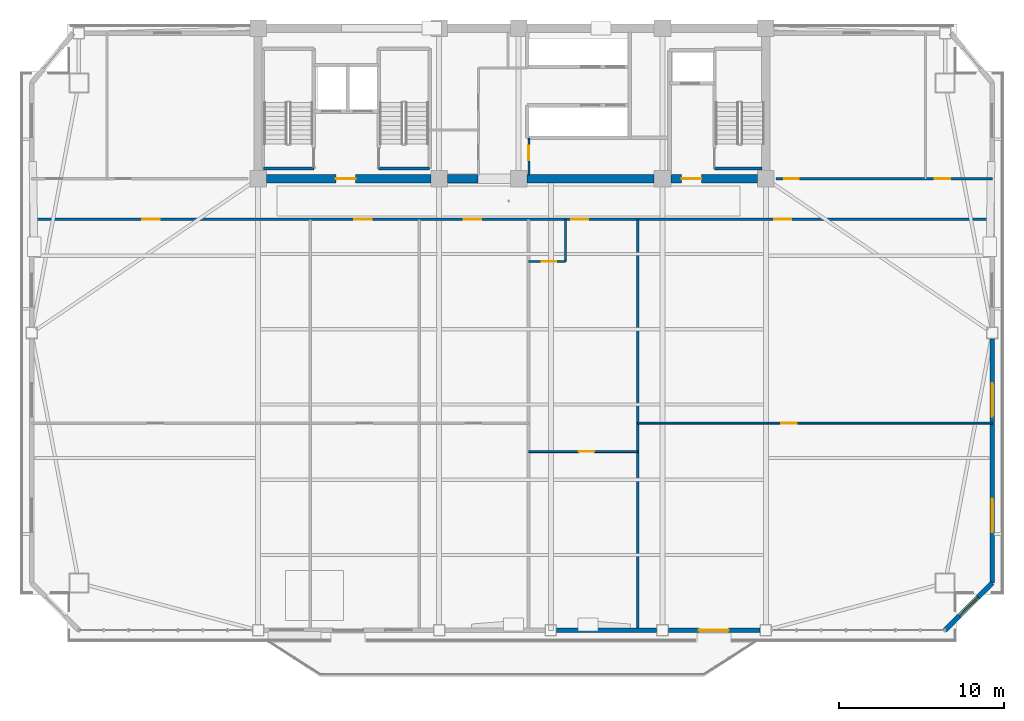
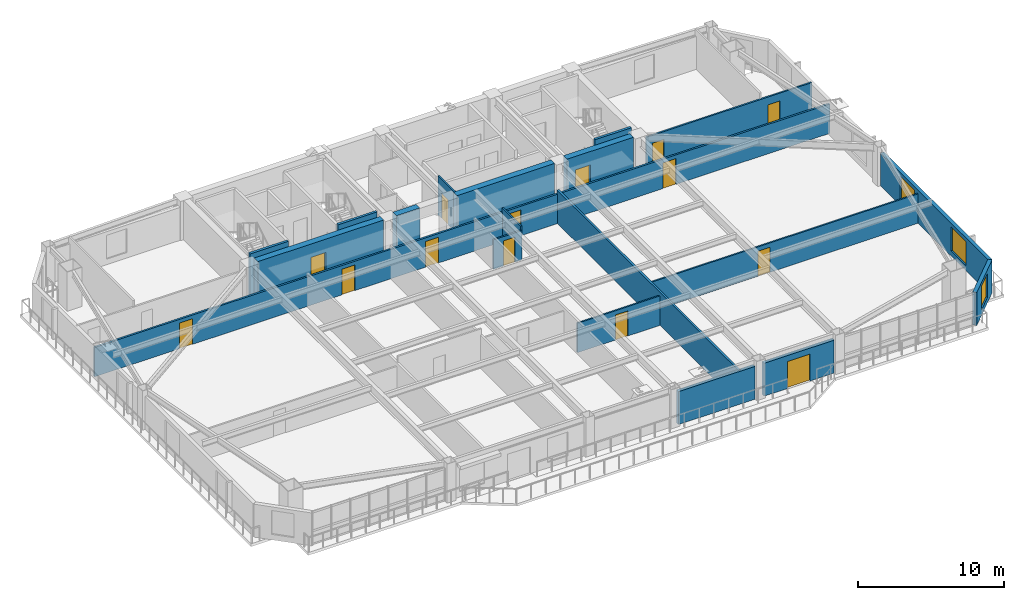
# One storey, part 8 of 15: 19 walls, 14 doors, 3 windows, 17 openings.
"""IFC4 building model written with IfcOpenShell, lengths in metres."""

from ifc_helpers import new_model, si_unit, direction, frame, frame_2d, origin, place, context, subcontext, project, spatial, rectangle, extrude, source, transform, mapped, material, layer, layer_set, type_object, element, fill, save


model = new_model("IFC4")

# Units and contexts
model_context = context("Model", 3, precision=1e-05, world=origin(), true_north=direction((0.0, 1.0)))
body_context = subcontext(model_context, "Body", "Model", "MODEL_VIEW")
ifc_project = project(units=[si_unit("LENGTHUNIT", "METRE"), si_unit("AREAUNIT", "SQUARE_METRE"), si_unit("VOLUMEUNIT", "CUBIC_METRE"), si_unit("PLANEANGLEUNIT", "RADIAN"), si_unit("MASSUNIT", "GRAM", prefix="KILO")], contexts=[model_context])

# Site, building, storey
site_placement = place(None, origin())
site = spatial("IfcSite", under=ifc_project, at=site_placement, CompositionType="ELEMENT")
building_placement = place(site_placement, origin())
building = spatial("IfcBuilding", under=site, at=building_placement, Name="Giltprow Tower", CompositionType="ELEMENT")
storey_placement = place(building_placement, frame((0.0, 0.0, 184.199951171875)))
storey = spatial("IfcBuildingStorey", under=building, at=storey_placement, Name="L46", CompositionType="ELEMENT", Elevation=184.199951171875)

# Wall, opening, window
ifc_material_1 = material(Name="Precast concrete C40", Category="concrete")
ifc_layer_1 = layer(ifc_material_1, 0.300048828125, Name="Precast concrete C40")
ifc_layer_set_1 = layer_set([ifc_layer_1], Name="Precast concrete C40")
wall_type_1 = type_object("IfcWallType", Name="EW-NOTCH-CHAMFER-300", PredefinedType="SOLIDWALL", material=ifc_layer_set_1)
wall_1_placement = place(storey_placement, frame((61.385986328125, 10.154052734375, 0.0), z_axis=(0.0, 0.0, 1.0), x_axis=(0.707136951076, 0.70707661001, 0.0)))
wall_1 = element("IfcWall", 1, at=wall_1_placement, inside=storey, type_object=wall_type_1, Name="L46 Corner Notch Wall SE", PredefinedType="SOLIDWALL", context=body_context, shape_type="SweptSolid", body=[
    extrude(rectangle(XDim=4.0458984375, YDim=0.300048828125, at=frame_2d((2.02294921875, 0.0))), origin(), (0.0, 0.0, 1.0), 2.75),
])
opening_1_placement = place(wall_1_placement, frame((1.222900390625, 0.0, 0.449951171875)))
opening_1 = element("IfcOpeningElement", 2, at=opening_1_placement, cuts=wall_1, Name="Opening WN17", PredefinedType="OPENING", context=body_context, shape_type="SweptSolid", body=[
    extrude(rectangle(XDim=1.60009765625, YDim=2.0, at=frame_2d((0.800048828125, 1.0))), frame((0.0, 0.159912109375, 0.0), z_axis=(0.0, -1.0, 0.0), x_axis=(1.0, 0.0, 0.0)), (0.0, 0.0, 1.0), 0.320068359375),
])
ifc_material_2 = material(Name="Insulated glass", Category="glass")
window_type_1 = type_object("IfcWindowType", Name="WN-COR-1600x2000", PartitioningType="SINGLE_PANEL", PredefinedType="WINDOW", material=ifc_material_2)
shared_shape_1 = source(origin(), body_context, "Body", "SweptSolid", [
    extrude(rectangle(XDim=1.60009765625, YDim=2.0, at=frame_2d((0.800048828125, 1.0))), frame((0.0, 0.030029296875, 0.0), z_axis=(0.0, -1.0, 0.0), x_axis=(1.0, 0.0, 0.0)), (0.0, 0.0, 1.0), 0.06005859375),
])
window_1_placement = place(opening_1_placement, origin())
window_1 = element("IfcWindow", 3, at=window_1_placement, inside=storey, type_object=window_type_1, Name="L46 Corner Notch Window SE", OverallHeight=2.0, OverallWidth=1.60009765625, PartitioningType="SINGLE_PANEL", PredefinedType="WINDOW", context=body_context, shape_type="MappedRepresentation", body=[
    mapped(shared_shape_1, transform((0.0, 0.0, 0.0), x_axis=(1.0, 0.0, 0.0), y_axis=(0.0, 1.0, 0.0), z_axis=(0.0, 0.0, 1.0), scale=1.0)),
])
fill(opening_1, window_1)

# Wall
ifc_layer_2 = layer(ifc_material_1, 0.280029296875, Name="Precast concrete C40")
ifc_layer_set_2 = layer_set([ifc_layer_2], Name="Precast concrete C40")
wall_type_2 = type_object("IfcWallType", Name="EW-TOW-BRONZE-280", PredefinedType="SOLIDWALL", material=ifc_layer_set_2)
wall_2_placement = place(storey_placement, frame((37.89990234375, 10.154052734375, 0.0), z_axis=(0.0, 0.0, 1.0), x_axis=(1.0, 0.0, 0.0)))
element("IfcWall", 4, at=wall_2_placement, inside=storey, type_object=wall_type_2, Name="L46 South Expressed Frame Wall 4", PredefinedType="SOLIDWALL", context=body_context, shape_type="SweptSolid", body=[
    extrude(rectangle(XDim=6.050048828125, YDim=0.280029296875, at=frame_2d((3.02490234375, 0.0))), origin(), (0.0, 0.0, 1.0), 2.75),
])

# Wall, opening, door
wall_3_placement = place(storey_placement, frame((44.64990234375, 10.154052734375, 0.0), z_axis=(0.0, 0.0, 1.0), x_axis=(1.0, 0.0, 0.0)))
wall_3 = element("IfcWall", 5, at=wall_3_placement, inside=storey, type_object=wall_type_2, Name="L46 South Expressed Frame Wall 5", PredefinedType="SOLIDWALL", context=body_context, shape_type="SweptSolid", body=[
    extrude(rectangle(XDim=5.550048828125, YDim=0.280029296875, at=frame_2d((2.77490234375, 0.0))), origin(), (0.0, 0.0, 1.0), 2.75),
])
opening_2_placement = place(wall_3_placement, frame((1.85009765625, 0.0, 0.0)))
opening_2 = element("IfcOpeningElement", 6, at=opening_2_placement, cuts=wall_3, Name="Opening ED25", PredefinedType="OPENING", context=body_context, shape_type="SweptSolid", body=[
    extrude(rectangle(XDim=1.800048828125, YDim=2.25, at=frame_2d((0.89990234375, 1.125))), frame((0.0, 0.14990234375, 0.0), z_axis=(0.0, -1.0, 0.0), x_axis=(1.0, 0.0, 0.0)), (0.0, 0.0, 1.0), 0.300048828125),
])
ifc_material_3 = material(Name="Anodized bronze and glass", Category="glass")
door_type_1 = type_object("IfcDoorType", Name="DR-BALC-SLIDE-1800", OperationType="SLIDING_TO_LEFT", PredefinedType="DOOR", material=ifc_material_3)
shared_shape_2 = source(origin(), body_context, "Body", "SweptSolid", [
    extrude(rectangle(XDim=1.800048828125, YDim=2.25, at=frame_2d((0.89990234375, 1.125))), frame((0.0, 0.02490234375, 0.0), z_axis=(0.0, -1.0, 0.0), x_axis=(1.0, 0.0, 0.0)), (0.0, 0.0, 1.0), 0.050048828125),
])
door_1_placement = place(opening_2_placement, origin())
door_1 = element("IfcDoor", 7, at=door_1_placement, inside=storey, type_object=door_type_1, Name="L46 Waterfront Balcony Sliding Door 2", OperationType="SLIDING_TO_LEFT", OverallHeight=2.25, OverallWidth=1.800048828125, PredefinedType="DOOR", context=body_context, shape_type="MappedRepresentation", body=[
    mapped(shared_shape_2, transform((0.0, 0.0, 0.0), x_axis=(1.0, 0.0, 0.0), y_axis=(0.0, 1.0, 0.0), z_axis=(0.0, 0.0, 1.0), scale=1.0)),
])
fill(opening_2, door_1)

# Wall, openings, windows
wall_4_placement = place(storey_placement, frame((64.2470703125, 13.014892578125, 0.0), z_axis=(0.0, 0.0, 1.0), x_axis=(0.0, 1.0, 0.0)))
wall_4 = element("IfcWall", 8, at=wall_4_placement, inside=storey, type_object=wall_type_2, Name="L46 E Wing Masonry Wall 1", PredefinedType="SOLIDWALL", context=body_context, shape_type="SweptSolid", body=[
    extrude(rectangle(XDim=14.76220703125, YDim=0.280029296875, at=frame_2d((7.381103515625, 0.0))), origin(), (0.0, 0.0, 1.0), 2.75),
])
opening_3_placement = place(wall_4_placement, frame((3.077880859375, 0.0, 0.449951171875)))
opening_3 = element("IfcOpeningElement", 9, at=opening_3_placement, cuts=wall_4, Name="Opening WN21", PredefinedType="OPENING", context=body_context, shape_type="SweptSolid", body=[
    extrude(rectangle(XDim=2.0, YDim=2.0, at=frame_2d((1.0, 1.0))), frame((0.0, 0.14990234375, 0.0), z_axis=(0.0, -1.0, 0.0), x_axis=(1.0, 0.0, 0.0)), (0.0, 0.0, 1.0), 0.300048828125),
])
opening_4_placement = place(wall_4_placement, frame((10.06201171875, 0.0, 0.449951171875)))
opening_4 = element("IfcOpeningElement", 10, at=opening_4_placement, cuts=wall_4, Name="Opening WN21", PredefinedType="OPENING", context=body_context, shape_type="SweptSolid", body=[
    extrude(rectangle(XDim=2.0, YDim=2.0, at=frame_2d((1.0, 1.0))), frame((0.0, 0.14990234375, 0.0), z_axis=(0.0, -1.0, 0.0), x_axis=(1.0, 0.0, 0.0)), (0.0, 0.0, 1.0), 0.300048828125),
])
window_type_2 = type_object("IfcWindowType", Name="WN-HTL-2000x2000", PartitioningType="DOUBLE_PANEL_VERTICAL", PredefinedType="WINDOW", material=ifc_material_2)
shared_shape_3 = source(origin(), body_context, "Body", "SweptSolid", [
    extrude(rectangle(XDim=2.0, YDim=2.0, at=frame_2d((1.0, 1.0))), frame((0.0, 0.030029296875, 0.0), z_axis=(0.0, -1.0, 0.0), x_axis=(1.0, 0.0, 0.0)), (0.0, 0.0, 1.0), 0.06005859375),
])
window_2_placement = place(opening_3_placement, origin())
window_2 = element("IfcWindow", 11, at=window_2_placement, inside=storey, type_object=window_type_2, Name="L46 E Wing Window 1-1A", OverallHeight=2.0, OverallWidth=2.0, PartitioningType="SINGLE_PANEL", PredefinedType="WINDOW", context=body_context, shape_type="MappedRepresentation", body=[
    mapped(shared_shape_3, transform((0.0, 0.0, 0.0), x_axis=(1.0, 0.0, 0.0), y_axis=(0.0, 1.0, 0.0), z_axis=(0.0, 0.0, 1.0), scale=1.0)),
])
fill(opening_3, window_2)
window_3_placement = place(opening_4_placement, origin())
window_3 = element("IfcWindow", 12, at=window_3_placement, inside=storey, type_object=window_type_2, Name="L46 E Wing Window 1-1B", OverallHeight=2.0, OverallWidth=2.0, PartitioningType="SINGLE_PANEL", PredefinedType="WINDOW", context=body_context, shape_type="MappedRepresentation", body=[
    mapped(shared_shape_3, transform((0.0, 0.0, 0.0), x_axis=(1.0, 0.0, 0.0), y_axis=(0.0, 1.0, 0.0), z_axis=(0.0, 0.0, 1.0), scale=1.0)),
])
fill(opening_4, window_3)

# Wall, openings, doors
ifc_material_4 = material(Name="Gypsum stud partition", Category="gypsum")
ifc_layer_3 = layer(ifc_material_4, 0.14990234375, Name="Gypsum stud partition")
ifc_layer_set_3 = layer_set([ifc_layer_3], Name="Gypsum stud partition")
wall_type_3 = type_object("IfcWallType", Name="IW-CORR-150", PredefinedType="PARTITIONING", material=ifc_layer_set_3)
wall_5_placement = place(storey_placement, frame((6.154052734375, 35.0, 0.0), z_axis=(0.0, 0.0, 1.0), x_axis=(1.0, 0.0, 0.0)))
wall_5 = element("IfcWall", 13, at=wall_5_placement, inside=storey, type_object=wall_type_3, Name="L46 Hotel Guestroom Corridor Wall", PredefinedType="PARTITIONING", context=body_context, shape_type="SweptSolid", body=[
    extrude(rectangle(XDim=58.093017578125, YDim=0.14990234375, at=frame_2d((29.04638671875, 0.0))), origin(), (0.0, 0.0, 1.0), 2.455078125),
])
opening_5_placement = place(wall_5_placement, frame((6.695068359375, 0.0, 0.0)))
opening_5 = element("IfcOpeningElement", 14, at=opening_5_placement, cuts=wall_5, Name="Opening ID31", PredefinedType="OPENING", context=body_context, shape_type="SweptSolid", body=[
    extrude(rectangle(XDim=1.050048828125, YDim=2.14990234375, at=frame_2d((0.52490234375, 1.074951171875))), frame((0.0, 0.0849609375, 0.0), z_axis=(0.0, -1.0, 0.0), x_axis=(1.0, 0.0, 0.0)), (0.0, 0.0, 1.0), 0.169921875),
])
opening_6_placement = place(wall_5_placement, frame((19.52294921875, 0.0, 0.0)))
opening_6 = element("IfcOpeningElement", 15, at=opening_6_placement, cuts=wall_5, Name="Opening ID31", PredefinedType="OPENING", context=body_context, shape_type="SweptSolid", body=[
    extrude(rectangle(XDim=1.050048828125, YDim=2.14990234375, at=frame_2d((0.52490234375, 1.074951171875))), frame((0.0, 0.0849609375, 0.0), z_axis=(0.0, -1.0, 0.0), x_axis=(1.0, 0.0, 0.0)), (0.0, 0.0, 1.0), 0.169921875),
])
opening_7_placement = place(wall_5_placement, frame((26.123046875, 0.0, 0.0)))
opening_7 = element("IfcOpeningElement", 16, at=opening_7_placement, cuts=wall_5, Name="Opening ID31", PredefinedType="OPENING", context=body_context, shape_type="SweptSolid", body=[
    extrude(rectangle(XDim=1.050048828125, YDim=2.14990234375, at=frame_2d((0.52490234375, 1.074951171875))), frame((0.0, 0.0849609375, 0.0), z_axis=(0.0, -1.0, 0.0), x_axis=(1.0, 0.0, 0.0)), (0.0, 0.0, 1.0), 0.169921875),
])
opening_8_placement = place(wall_5_placement, frame((32.615966796875, 0.0, 0.0)))
opening_8 = element("IfcOpeningElement", 17, at=opening_8_placement, cuts=wall_5, Name="Opening ID31", PredefinedType="OPENING", context=body_context, shape_type="SweptSolid", body=[
    extrude(rectangle(XDim=1.050048828125, YDim=2.14990234375, at=frame_2d((0.52490234375, 1.074951171875))), frame((0.0, 0.0849609375, 0.0), z_axis=(0.0, -1.0, 0.0), x_axis=(1.0, 0.0, 0.0)), (0.0, 0.0, 1.0), 0.169921875),
])
opening_9_placement = place(wall_5_placement, frame((44.888916015625, 0.0, 0.0)))
opening_9 = element("IfcOpeningElement", 18, at=opening_9_placement, cuts=wall_5, Name="Opening ID31", PredefinedType="OPENING", context=body_context, shape_type="SweptSolid", body=[
    extrude(rectangle(XDim=1.050048828125, YDim=2.14990234375, at=frame_2d((0.52490234375, 1.074951171875))), frame((0.0, 0.0849609375, 0.0), z_axis=(0.0, -1.0, 0.0), x_axis=(1.0, 0.0, 0.0)), (0.0, 0.0, 1.0), 0.169921875),
])
ifc_material_5 = material(Name="Engineered timber", Category="wood")
door_type_2 = type_object("IfcDoorType", Name="DR-SUITE-1050", OperationType="SINGLE_SWING_LEFT", PredefinedType="DOOR", material=ifc_material_5)
shared_shape_4 = source(origin(), body_context, "Body", "SweptSolid", [
    extrude(rectangle(XDim=1.050048828125, YDim=2.14990234375, at=frame_2d((0.52490234375, 1.074951171875))), frame((0.0, 0.02490234375, 0.0), z_axis=(0.0, -1.0, 0.0), x_axis=(1.0, 0.0, 0.0)), (0.0, 0.0, 1.0), 0.050048828125),
])
door_2_placement = place(opening_5_placement, origin())
door_2 = element("IfcDoor", 19, at=door_2_placement, inside=storey, type_object=door_type_2, Name="L46 Suite Reception Foyer Door", OperationType="SINGLE_SWING_LEFT", OverallHeight=2.14990234375, OverallWidth=1.050048828125, PredefinedType="DOOR", context=body_context, shape_type="MappedRepresentation", body=[
    mapped(shared_shape_4, transform((0.0, 0.0, 0.0), x_axis=(1.0, 0.0, 0.0), y_axis=(0.0, 1.0, 0.0), z_axis=(0.0, 0.0, 1.0), scale=1.0)),
])
fill(opening_5, door_2)
door_3_placement = place(opening_6_placement, origin())
door_3 = element("IfcDoor", 20, at=door_3_placement, inside=storey, type_object=door_type_2, Name="L46 Suite Reception Foyer Door", OperationType="SINGLE_SWING_LEFT", OverallHeight=2.14990234375, OverallWidth=1.050048828125, PredefinedType="DOOR", context=body_context, shape_type="MappedRepresentation", body=[
    mapped(shared_shape_4, transform((0.0, 0.0, 0.0), x_axis=(1.0, 0.0, 0.0), y_axis=(0.0, 1.0, 0.0), z_axis=(0.0, 0.0, 1.0), scale=1.0)),
])
fill(opening_6, door_3)
door_4_placement = place(opening_7_placement, origin())
door_4 = element("IfcDoor", 21, at=door_4_placement, inside=storey, type_object=door_type_2, Name="L46 Suite Reception Foyer Door", OperationType="SINGLE_SWING_LEFT", OverallHeight=2.14990234375, OverallWidth=1.050048828125, PredefinedType="DOOR", context=body_context, shape_type="MappedRepresentation", body=[
    mapped(shared_shape_4, transform((0.0, 0.0, 0.0), x_axis=(1.0, 0.0, 0.0), y_axis=(0.0, 1.0, 0.0), z_axis=(0.0, 0.0, 1.0), scale=1.0)),
])
fill(opening_7, door_4)
door_5_placement = place(opening_8_placement, origin())
door_5 = element("IfcDoor", 22, at=door_5_placement, inside=storey, type_object=door_type_2, Name="L46 Hotel Room 4 Entry Door", OperationType="SINGLE_SWING_LEFT", OverallHeight=2.14990234375, OverallWidth=1.050048828125, PredefinedType="DOOR", context=body_context, shape_type="MappedRepresentation", body=[
    mapped(shared_shape_4, transform((0.0, 0.0, 0.0), x_axis=(1.0, 0.0, 0.0), y_axis=(0.0, 1.0, 0.0), z_axis=(0.0, 0.0, 1.0), scale=1.0)),
])
fill(opening_8, door_5)
door_6_placement = place(opening_9_placement, origin())
door_6 = element("IfcDoor", 23, at=door_6_placement, inside=storey, type_object=door_type_2, Name="L46 Suite Reception Foyer Door", OperationType="SINGLE_SWING_RIGHT", OverallHeight=2.14990234375, OverallWidth=1.050048828125, PredefinedType="DOOR", context=body_context, shape_type="MappedRepresentation", body=[
    mapped(shared_shape_4, transform((0.0, 0.0, 0.0), x_axis=(1.0, 0.0, 0.0), y_axis=(0.0, 1.0, 0.0), z_axis=(0.0, 0.0, 1.0), scale=1.0)),
])
fill(opening_9, door_6)

# Wall
ifc_layer_4 = layer(ifc_material_4, 0.159912109375, Name="Gypsum stud partition")
ifc_layer_set_4 = layer_set([ifc_layer_4], Name="Gypsum stud partition")
wall_type_4 = type_object("IfcWallType", Name="IW-DEMISE-160", PredefinedType="PARTITIONING", material=ifc_layer_set_4)
wall_6_placement = place(storey_placement, frame((42.800048828125, 10.154052734375, 0.0), z_axis=(0.0, 0.0, 1.0), x_axis=(0.0, 1.0, 0.0)))
element("IfcWall", 24, at=wall_6_placement, inside=storey, type_object=wall_type_4, Name="L46 Hotel Demising Wall 4", PredefinedType="PARTITIONING", context=body_context, shape_type="SweptSolid", body=[
    extrude(rectangle(XDim=24.845947265625, YDim=0.159912109375, at=frame_2d((12.4228515625, 0.0))), origin(), (0.0, 0.0, 1.0), 2.755126953125),
])

# Wall, opening, door
ifc_layer_5 = layer(ifc_material_4, 0.1201171875, Name="Gypsum stud partition")
ifc_layer_set_5 = layer_set([ifc_layer_5], Name="Gypsum stud partition")
wall_type_5 = type_object("IfcWallType", Name="IW-ROOM-120", PredefinedType="PARTITIONING", material=ifc_layer_set_5)
wall_7_placement = place(storey_placement, frame((36.199951171875, 20.9599609375, 0.0), z_axis=(0.0, 0.0, 1.0), x_axis=(1.0, 0.0, 0.0)))
wall_7 = element("IfcWall", 25, at=wall_7_placement, inside=storey, type_object=wall_type_5, Name="L46 Suite Parlour Divider 4", PredefinedType="PARTITIONING", context=body_context, shape_type="SweptSolid", body=[
    extrude(rectangle(XDim=6.60009765625, YDim=0.1201171875, at=frame_2d((3.300048828125, 0.0))), origin(), (0.0, 0.0, 1.0), 2.455078125),
])
opening_10_placement = place(wall_7_placement, frame((3.02490234375, 0.0, 0.0)))
opening_10 = element("IfcOpeningElement", 26, at=opening_10_placement, cuts=wall_7, Name="Opening ID11", PredefinedType="OPENING", context=body_context, shape_type="SweptSolid", body=[
    extrude(rectangle(XDim=0.949951171875, YDim=2.10009765625, at=frame_2d((0.47509765625, 1.050048828125))), frame((0.0, 0.070068359375, 0.0), z_axis=(0.0, -1.0, 0.0), x_axis=(1.0, 0.0, 0.0)), (0.0, 0.0, 1.0), 0.14013671875),
])
door_type_3 = type_object("IfcDoorType", Name="DR-ROOM-950", OperationType="SINGLE_SWING_RIGHT", PredefinedType="DOOR", material=ifc_material_5)
shared_shape_5 = source(origin(), body_context, "Body", "SweptSolid", [
    extrude(rectangle(XDim=0.949951171875, YDim=2.10009765625, at=frame_2d((0.47509765625, 1.050048828125))), frame((0.0, 0.02490234375, 0.0), z_axis=(0.0, -1.0, 0.0), x_axis=(1.0, 0.0, 0.0)), (0.0, 0.0, 1.0), 0.050048828125),
])
door_7_placement = place(opening_10_placement, origin())
door_7 = element("IfcDoor", 27, at=door_7_placement, inside=storey, type_object=door_type_3, Name="L46 Harbour Parlour 4 Door", OperationType="SINGLE_SWING_LEFT", OverallHeight=2.10009765625, OverallWidth=0.949951171875, PredefinedType="DOOR", context=body_context, shape_type="MappedRepresentation", body=[
    mapped(shared_shape_5, transform((0.0, 0.0, 0.0), x_axis=(1.0, 0.0, 0.0), y_axis=(0.0, 1.0, 0.0), z_axis=(0.0, 0.0, 1.0), scale=1.0)),
])
fill(opening_10, door_7)

wall_8_placement = place(storey_placement, frame((42.800048828125, 22.677001953125, 0.0), z_axis=(0.0, 0.0, 1.0), x_axis=(1.0, 0.0, 0.0)))
wall_8 = element("IfcWall", 28, at=wall_8_placement, inside=storey, type_object=wall_type_5, Name="L46 Amenity Mid Wall 5", PredefinedType="PARTITIONING", context=body_context, shape_type="SweptSolid", body=[
    extrude(rectangle(XDim=21.447021484375, YDim=0.1201171875, at=frame_2d((10.7236328125, 0.0))), origin(), (0.0, 0.0, 1.0), 2.455078125),
])
opening_11_placement = place(wall_8_placement, frame((8.6650390625, 0.0, 0.0)))
opening_11 = element("IfcOpeningElement", 29, at=opening_11_placement, cuts=wall_8, Name="Opening ID11", PredefinedType="OPENING", context=body_context, shape_type="SweptSolid", body=[
    extrude(rectangle(XDim=0.949951171875, YDim=2.10009765625, at=frame_2d((0.47509765625, 1.050048828125))), frame((0.0, 0.070068359375, 0.0), z_axis=(0.0, -1.0, 0.0), x_axis=(1.0, 0.0, 0.0)), (0.0, 0.0, 1.0), 0.14013671875),
])
door_8_placement = place(opening_11_placement, origin())
door_8 = element("IfcDoor", 30, at=door_8_placement, inside=storey, type_object=door_type_3, Name="L46 Tea Ceremony Kitchen 4 Inner Door", OperationType="SINGLE_SWING_LEFT", OverallHeight=2.10009765625, OverallWidth=0.949951171875, PredefinedType="DOOR", context=body_context, shape_type="MappedRepresentation", body=[
    mapped(shared_shape_5, transform((0.0, 0.0, 0.0), x_axis=(1.0, 0.0, 0.0), y_axis=(0.0, 1.0, 0.0), z_axis=(0.0, 0.0, 1.0), scale=1.0)),
])
fill(opening_11, door_8)

# Walls
ifc_material_6 = material(Name="Concrete C40", Category="concrete")
ifc_layer_6 = layer(ifc_material_6, 0.199951171875, Name="Concrete C40")
ifc_layer_set_6 = layer_set([ifc_layer_6], Name="Concrete C40")
wall_type_6 = type_object("IfcWallType", Name="IW-STAIR-200", PredefinedType="SOLIDWALL", material=ifc_layer_set_6)
wall_9_placement = place(storey_placement, frame((20.169921875, 38.070068359375, 0.0), z_axis=(0.0, 0.0, 1.0), x_axis=(1.0, 0.0, 0.0)))
element("IfcWall", 31, at=wall_9_placement, inside=storey, type_object=wall_type_6, Name="L46 Stair ST-1 South Bearing Wall", PredefinedType="SOLIDWALL", context=body_context, shape_type="SweptSolid", body=[
    extrude(rectangle(XDim=3.050048828125, YDim=0.199951171875, at=frame_2d((1.52490234375, 0.0))), origin(), (0.0, 0.0, 1.0), 3.5),
])
wall_10_placement = place(storey_placement, frame((27.139892578125, 38.070068359375, 0.0), z_axis=(0.0, 0.0, 1.0), x_axis=(1.0, 0.0, 0.0)))
element("IfcWall", 32, at=wall_10_placement, inside=storey, type_object=wall_type_6, Name="L46 Stair ST-2 South Bearing Wall", PredefinedType="SOLIDWALL", context=body_context, shape_type="SweptSolid", body=[
    extrude(rectangle(XDim=3.080078125, YDim=0.199951171875, at=frame_2d((1.5400390625, 0.0))), origin(), (0.0, 0.0, 1.0), 3.5),
])
wall_11_placement = place(storey_placement, frame((47.43994140625, 38.070068359375, 0.0), z_axis=(0.0, 0.0, 1.0), x_axis=(1.0, 0.0, 0.0)))
element("IfcWall", 33, at=wall_11_placement, inside=storey, type_object=wall_type_6, Name="L46 Stair ST-3 South Bearing Wall", PredefinedType="SOLIDWALL", context=body_context, shape_type="SweptSolid", body=[
    extrude(rectangle(XDim=2.880126953125, YDim=0.199951171875, at=frame_2d((1.43994140625, 0.0))), origin(), (0.0, 0.0, 1.0), 3.5),
])

# Wall, opening, door
ifc_material_7 = material(Name="Concrete C30", Category="concrete")
ifc_layer_7 = layer(ifc_material_7, 0.1298828125, Name="Concrete C30")
ifc_layer_set_7 = layer_set([ifc_layer_7], Name="Concrete C30")
wall_type_7 = type_object("IfcWallType", Name="IW-WET-130", PredefinedType="PARTITIONING", material=ifc_layer_set_7)
wall_12_placement = place(storey_placement, frame((36.219970703125, 37.679931640625, 0.0), z_axis=(0.0, 0.0, 1.0), x_axis=(0.0, 1.0, 0.0)))
wall_12 = element("IfcWall", 34, at=wall_12_placement, inside=storey, type_object=wall_type_7, Name="L46 Core Valet West Wall", PredefinedType="PARTITIONING", context=body_context, shape_type="SweptSolid", body=[
    extrude(rectangle(XDim=2.239990234375, YDim=0.1298828125, at=frame_2d((1.1201171875, 0.0))), origin(), (0.0, 0.0, 1.0), 3.27001953125),
])
opening_12_placement = place(wall_12_placement, frame((0.8798828125, 0.0, 0.0)))
opening_12 = element("IfcOpeningElement", 35, at=opening_12_placement, cuts=wall_12, Name="Opening ID35", PredefinedType="OPENING", context=body_context, shape_type="SweptSolid", body=[
    extrude(rectangle(XDim=0.89990234375, YDim=2.10009765625, at=frame_2d((0.449951171875, 1.050048828125))), frame((0.0, 0.074951171875, 0.0), z_axis=(0.0, -1.0, 0.0), x_axis=(1.0, 0.0, 0.0)), (0.0, 0.0, 1.0), 0.14990234375),
])
ifc_material_8 = material(Name="Steel fire leaf", Category="steel")
door_type_4 = type_object("IfcDoorType", Name="DR-SHAFT-900", OperationType="SINGLE_SWING_LEFT", PredefinedType="DOOR", material=ifc_material_8)
shared_shape_6 = source(origin(), body_context, "Body", "SweptSolid", [
    extrude(rectangle(XDim=0.89990234375, YDim=2.10009765625, at=frame_2d((0.449951171875, 1.050048828125))), frame((0.0, 0.02490234375, 0.0), z_axis=(0.0, -1.0, 0.0), x_axis=(1.0, 0.0, 0.0)), (0.0, 0.0, 1.0), 0.050048828125),
])
door_9_placement = place(opening_12_placement, origin())
door_9 = element("IfcDoor", 36, at=door_9_placement, inside=storey, type_object=door_type_4, Name="L46 Core Valet Pantry Door", OperationType="SINGLE_SWING_RIGHT", OverallHeight=2.10009765625, OverallWidth=0.89990234375, PredefinedType="DOOR", context=body_context, shape_type="MappedRepresentation", body=[
    mapped(shared_shape_6, transform((0.0, 0.0, 0.0), x_axis=(1.0, 0.0, 0.0), y_axis=(0.0, 1.0, 0.0), z_axis=(0.0, 0.0, 1.0), scale=1.0)),
])
fill(opening_12, door_9)

wall_13_placement = place(storey_placement, frame((36.199951171875, 32.449951171875, 0.0), z_axis=(0.0, 0.0, 1.0), x_axis=(1.0, 0.0, 0.0)))
wall_13 = element("IfcWall", 37, at=wall_13_placement, inside=storey, type_object=wall_type_7, Name="L46 En-Suite South Wall 4", PredefinedType="PARTITIONING", context=body_context, shape_type="SweptSolid", body=[
    extrude(rectangle(XDim=2.22998046875, YDim=0.1298828125, at=frame_2d((1.114990234375, 0.0))), origin(), (0.0, 0.0, 1.0), 2.455078125),
])
opening_13_placement = place(wall_13_placement, frame((0.784912109375, 0.0, 0.0)))
opening_13 = element("IfcOpeningElement", 38, at=opening_13_placement, cuts=wall_13, Name="Opening ID15", PredefinedType="OPENING", context=body_context, shape_type="SweptSolid", body=[
    extrude(rectangle(XDim=0.89990234375, YDim=2.10009765625, at=frame_2d((0.449951171875, 1.050048828125))), frame((0.0, 0.074951171875, 0.0), z_axis=(0.0, -1.0, 0.0), x_axis=(1.0, 0.0, 0.0)), (0.0, 0.0, 1.0), 0.14990234375),
])
door_type_5 = type_object("IfcDoorType", Name="DR-WC-900", OperationType="SINGLE_SWING_LEFT", PredefinedType="DOOR", material=ifc_material_5)
door_10_placement = place(opening_13_placement, origin())
door_10 = element("IfcDoor", 39, at=door_10_placement, inside=storey, type_object=door_type_5, Name="L46 En-Suite 4 Door", OperationType="SINGLE_SWING_RIGHT", OverallHeight=2.10009765625, OverallWidth=0.89990234375, PredefinedType="DOOR", context=body_context, shape_type="MappedRepresentation", body=[
    mapped(shared_shape_6, transform((0.0, 0.0, 0.0), x_axis=(1.0, 0.0, 0.0), y_axis=(0.0, 1.0, 0.0), z_axis=(0.0, 0.0, 1.0), scale=1.0)),
])
fill(opening_13, door_10)

# Wall
wall_14_placement = place(storey_placement, frame((38.429931640625, 32.449951171875, 0.0), z_axis=(0.0, 0.0, 1.0), x_axis=(0.0, 1.0, 0.0)))
element("IfcWall", 40, at=wall_14_placement, inside=storey, type_object=wall_type_7, Name="L46 En-Suite East Wall 4", PredefinedType="PARTITIONING", context=body_context, shape_type="SweptSolid", body=[
    extrude(rectangle(XDim=2.550048828125, YDim=0.1298828125, at=frame_2d((1.27490234375, 0.0))), origin(), (0.0, 0.0, 1.0), 2.804931640625),
])

# Wall, openings, doors
wall_15_placement = place(storey_placement, frame((51.14990234375, 37.449951171875, 0.0), z_axis=(0.0, 0.0, 1.0), x_axis=(1.0, 0.0, 0.0)))
wall_15 = element("IfcWall", 41, at=wall_15_placement, inside=storey, type_object=wall_type_7, Name="L46 NE Wing South Wall", PredefinedType="PARTITIONING", context=body_context, shape_type="SweptSolid", body=[
    extrude(rectangle(XDim=13.09716796875, YDim=0.1298828125, at=frame_2d((6.548583984375, 0.0))), origin(), (0.0, 0.0, 1.0), 2.755126953125),
])
opening_14_placement = place(wall_15_placement, frame((0.5, 0.0, 0.0)))
opening_14 = element("IfcOpeningElement", 42, at=opening_14_placement, cuts=wall_15, Name="Opening ID15", PredefinedType="OPENING", context=body_context, shape_type="SweptSolid", body=[
    extrude(rectangle(XDim=0.89990234375, YDim=2.10009765625, at=frame_2d((0.449951171875, 1.050048828125))), frame((0.0, 0.074951171875, 0.0), z_axis=(0.0, -1.0, 0.0), x_axis=(1.0, 0.0, 0.0)), (0.0, 0.0, 1.0), 0.14990234375),
])
opening_15_placement = place(wall_15_placement, frame((9.60791015625, 0.0, 0.0)))
opening_15 = element("IfcOpeningElement", 43, at=opening_15_placement, cuts=wall_15, Name="Opening ID11", PredefinedType="OPENING", context=body_context, shape_type="SweptSolid", body=[
    extrude(rectangle(XDim=0.949951171875, YDim=2.10009765625, at=frame_2d((0.47509765625, 1.050048828125))), frame((0.0, 0.074951171875, 0.0), z_axis=(0.0, -1.0, 0.0), x_axis=(1.0, 0.0, 0.0)), (0.0, 0.0, 1.0), 0.14990234375),
])
door_11_placement = place(opening_14_placement, origin())
door_11 = element("IfcDoor", 44, at=door_11_placement, inside=storey, type_object=door_type_5, Name="L46 East Wing Washroom Door", OperationType="SINGLE_SWING_RIGHT", OverallHeight=2.10009765625, OverallWidth=0.89990234375, PredefinedType="DOOR", context=body_context, shape_type="MappedRepresentation", body=[
    mapped(shared_shape_6, transform((0.0, 0.0, 0.0), x_axis=(1.0, 0.0, 0.0), y_axis=(0.0, 1.0, 0.0), z_axis=(0.0, 0.0, 1.0), scale=1.0)),
])
fill(opening_14, door_11)
door_12_placement = place(opening_15_placement, origin())
door_12 = element("IfcDoor", 45, at=door_12_placement, inside=storey, type_object=door_type_3, Name="L46 Hotel Floor Linen Store Door", OperationType="SINGLE_SWING_LEFT", OverallHeight=2.10009765625, OverallWidth=0.949951171875, PredefinedType="DOOR", context=body_context, shape_type="MappedRepresentation", body=[
    mapped(shared_shape_5, transform((0.0, 0.0, 0.0), x_axis=(1.0, 0.0, 0.0), y_axis=(0.0, 1.0, 0.0), z_axis=(0.0, 0.0, 1.0), scale=1.0)),
])
fill(opening_15, door_12)

# Wall, opening, door
ifc_material_9 = material(Name="Concrete C50", Category="concrete")
ifc_layer_8 = layer(ifc_material_9, 0.5, Name="Concrete C50")
ifc_layer_set_8 = layer_set([ifc_layer_8], Name="Concrete C50")
wall_type_8 = type_object("IfcWallType", Name="SW-INT-500-C50", PredefinedType="SHEAR", material=ifc_layer_set_8)
wall_16_placement = place(storey_placement, frame((20.35009765625, 37.449951171875, 0.0), z_axis=(0.0, 0.0, 1.0), x_axis=(1.0, 0.0, 0.0)))
wall_16 = element("IfcWall", 46, at=wall_16_placement, inside=storey, type_object=wall_type_8, Name="L46 South Rear Core Shear Wall West", PredefinedType="SHEAR", context=body_context, shape_type="SweptSolid", body=[
    extrude(rectangle(XDim=9.949951171875, YDim=0.5, at=frame_2d((4.97509765625, 0.0))), origin(), (0.0, 0.0, 1.0), 3.27001953125),
])
opening_16_placement = place(wall_16_placement, frame((4.199951171875, 0.0, 0.0)))
opening_16 = element("IfcOpeningElement", 47, at=opening_16_placement, cuts=wall_16, Name="Opening ID19", PredefinedType="OPENING", context=body_context, shape_type="SweptSolid", body=[
    extrude(rectangle(XDim=1.199951171875, YDim=2.14990234375, at=frame_2d((0.60009765625, 1.074951171875))), frame((0.0, 0.260009765625, 0.0), z_axis=(0.0, -1.0, 0.0), x_axis=(1.0, 0.0, 0.0)), (0.0, 0.0, 1.0), 0.52001953125),
])
door_type_6 = type_object("IfcDoorType", Name="DR-FFLOBBY-1200", OperationType="SINGLE_SWING_RIGHT", PredefinedType="DOOR", material=ifc_material_8)
shared_shape_7 = source(origin(), body_context, "Body", "SweptSolid", [
    extrude(rectangle(XDim=1.199951171875, YDim=2.14990234375, at=frame_2d((0.60009765625, 1.074951171875))), frame((0.0, 0.02490234375, 0.0), z_axis=(0.0, -1.0, 0.0), x_axis=(1.0, 0.0, 0.0)), (0.0, 0.0, 1.0), 0.050048828125),
])
door_13_placement = place(opening_16_placement, origin())
door_13 = element("IfcDoor", 48, at=door_13_placement, inside=storey, type_object=door_type_6, Name="L46 West Firefighting Lobby Entry Door", OperationType="SINGLE_SWING_RIGHT", OverallHeight=2.14990234375, OverallWidth=1.199951171875, PredefinedType="DOOR", context=body_context, shape_type="MappedRepresentation", body=[
    mapped(shared_shape_7, transform((0.0, 0.0, 0.0), x_axis=(1.0, 0.0, 0.0), y_axis=(0.0, 1.0, 0.0), z_axis=(0.0, 0.0, 1.0), scale=1.0)),
])
fill(opening_16, door_13)

# Walls
wall_17_placement = place(storey_placement, frame((31.300048828125, 37.449951171875, 0.0), z_axis=(0.0, 0.0, 1.0), x_axis=(1.0, 0.0, 0.0)))
element("IfcWall", 49, at=wall_17_placement, inside=storey, type_object=wall_type_8, Name="L46 South Rear Core Shear Wall Mid-West", PredefinedType="SHEAR", context=body_context, shape_type="SweptSolid", body=[
    extrude(rectangle(XDim=1.849853515625, YDim=0.5, at=frame_2d((0.9248046875, 0.0))), origin(), (0.0, 0.0, 1.0), 3.27001953125),
])
wall_18_placement = place(storey_placement, frame((36.10009765625, 37.449951171875, 0.0), z_axis=(0.0, 0.0, 1.0), x_axis=(1.0, 0.0, 0.0)))
element("IfcWall", 50, at=wall_18_placement, inside=storey, type_object=wall_type_8, Name="L46 South Rear Core Shear Wall Mid-East", PredefinedType="SHEAR", context=body_context, shape_type="SweptSolid", body=[
    extrude(rectangle(XDim=7.699951171875, YDim=0.5, at=frame_2d((3.85009765625, 0.0))), origin(), (0.0, 0.0, 1.0), 3.27001953125),
])

# Wall, opening, door
wall_19_placement = place(storey_placement, frame((44.800048828125, 37.449951171875, 0.0), z_axis=(0.0, 0.0, 1.0), x_axis=(1.0, 0.0, 0.0)))
wall_19 = element("IfcWall", 51, at=wall_19_placement, inside=storey, type_object=wall_type_8, Name="L46 South Rear Core Shear Wall East", PredefinedType="SHEAR", context=body_context, shape_type="SweptSolid", body=[
    extrude(rectangle(XDim=5.25, YDim=0.5, at=frame_2d((2.625, 0.0))), origin(), (0.0, 0.0, 1.0), 3.27001953125),
])
opening_17_placement = place(wall_19_placement, frame((0.64990234375, 0.0, 0.0)))
opening_17 = element("IfcOpeningElement", 52, at=opening_17_placement, cuts=wall_19, Name="Opening ID19", PredefinedType="OPENING", context=body_context, shape_type="SweptSolid", body=[
    extrude(rectangle(XDim=1.199951171875, YDim=2.14990234375, at=frame_2d((0.60009765625, 1.074951171875))), frame((0.0, 0.260009765625, 0.0), z_axis=(0.0, -1.0, 0.0), x_axis=(1.0, 0.0, 0.0)), (0.0, 0.0, 1.0), 0.52001953125),
])
door_14_placement = place(opening_17_placement, origin())
door_14 = element("IfcDoor", 53, at=door_14_placement, inside=storey, type_object=door_type_6, Name="L46 East Firefighting Lobby Entry Door", OperationType="SINGLE_SWING_RIGHT", OverallHeight=2.14990234375, OverallWidth=1.199951171875, PredefinedType="DOOR", context=body_context, shape_type="MappedRepresentation", body=[
    mapped(shared_shape_7, transform((0.0, 0.0, 0.0), x_axis=(1.0, 0.0, 0.0), y_axis=(0.0, 1.0, 0.0), z_axis=(0.0, 0.0, 1.0), scale=1.0)),
])
fill(opening_17, door_14)

save(model, "model.ifc")
